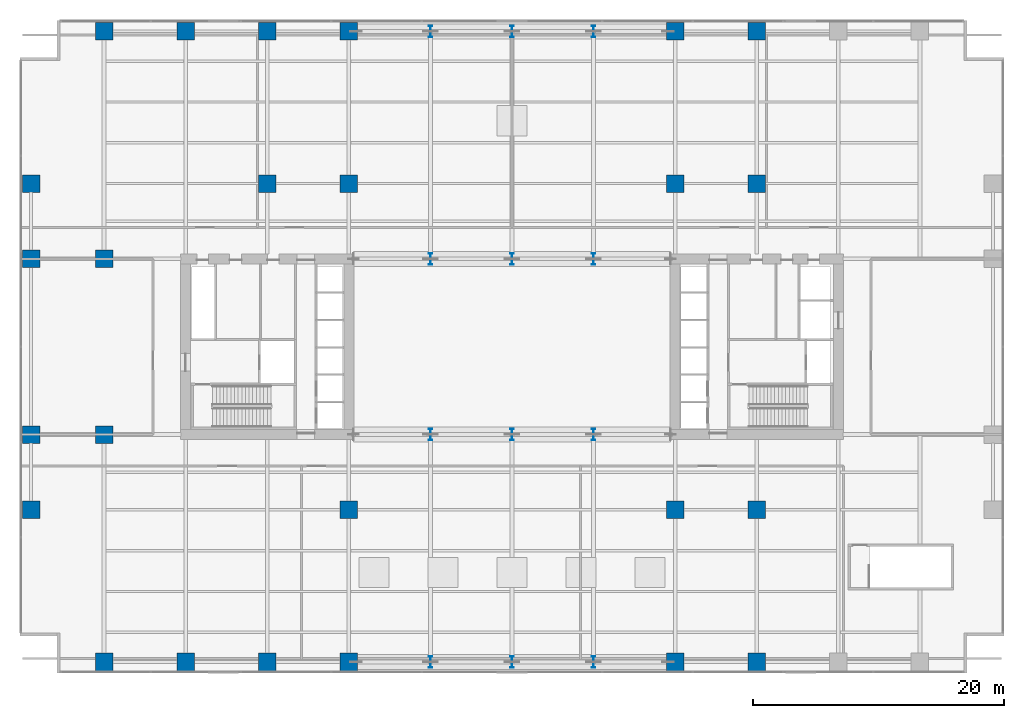
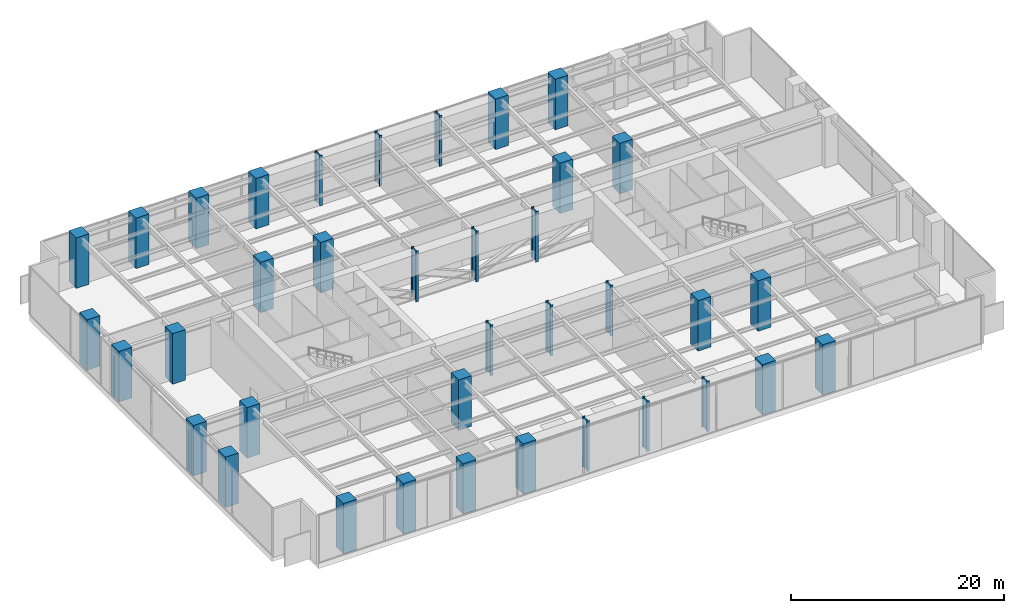
# One storey, part 1 of 25: 37 columns.
"""IFC4 building model written with IfcOpenShell, lengths in metres."""

from ifc_helpers import new_model, si_unit, direction, frame, origin, origin_2d, place, context, subcontext, project, spatial, rectangle, i_section, extrude, material, material_profile, profile_set, type_object, element, save


model = new_model("IFC4")

# Units and contexts
model_context = context("Model", 3, precision=1e-05, world=origin(), true_north=direction((0.0, 1.0)))
body_context = subcontext(model_context, "Body", "Model", "MODEL_VIEW")
ifc_project = project(units=[si_unit("LENGTHUNIT", "METRE"), si_unit("AREAUNIT", "SQUARE_METRE"), si_unit("VOLUMEUNIT", "CUBIC_METRE"), si_unit("PLANEANGLEUNIT", "RADIAN"), si_unit("MASSUNIT", "GRAM", prefix="KILO")], contexts=[model_context])

# Site, building, storey
site_placement = place(None, origin())
site = spatial("IfcSite", under=ifc_project, at=site_placement, CompositionType="ELEMENT")
building_placement = place(site_placement, origin())
building = spatial("IfcBuilding", under=site, at=building_placement, Name="Putna Gate Headquarters", CompositionType="ELEMENT")
storey_placement = place(building_placement, frame((0.0, 0.0, 22.0)))
storey = spatial("IfcBuildingStorey", under=building, at=storey_placement, Name="L04", CompositionType="ELEMENT", Elevation=22.0)

# Columns
ifc_material_1 = material(Name="Concrete C60/75", Category="concrete")
ifc_material_profile_1 = material_profile(ifc_material_1, rectangle(XDim=1.39990234375, YDim=1.39990234375, at=origin_2d()), Name="Concrete C60/75")
ifc_profile_set_1 = profile_set([ifc_material_profile_1], Name="Concrete C60/75")
column_type_1 = type_object("IfcColumnType", Name="COL-RC1400-EXT", PredefinedType="COLUMN", material=ifc_profile_set_1)
for number, where, z_axis, x_axis, name in (
    (1, (6.5, 0.8798828125, 0.0), (0.0, 0.0, 1.0), (1.0, 0.0, 0.0), "L04 Column CP-S6"),
    (2, (6.5, 51.1201171875, 0.0), (0.0, 0.0, 1.0), (1.0, 0.0, 0.0), "L04 Column CP-N6"),
    (3, (13.0, 0.8798828125, 0.0), (0.0, 0.0, 1.0), (1.0, 0.0, 0.0), "L04 Column CP-S13"),
    (4, (13.0, 51.1201171875, 0.0), (0.0, 0.0, 1.0), (1.0, 0.0, 0.0), "L04 Column CP-N13"),
    (5, (19.5, 0.8798828125, 0.0), (0.0, 0.0, 1.0), (1.0, 0.0, 0.0), "L04 Column CP-S19"),
    (6, (19.5, 51.1201171875, 0.0), (0.0, 0.0, 1.0), (1.0, 0.0, 0.0), "L04 Column CP-N19"),
    (7, (26.0, 0.8798828125, 0.0), (0.0, 0.0, 1.0), (1.0, 0.0, 0.0), "L04 Column CP-S26"),
    (8, (26.0, 51.1201171875, 0.0), (0.0, 0.0, 1.0), (1.0, 0.0, 0.0), "L04 Column CP-N26"),
    (9, (52.0, 0.8798828125, 0.0), (0.0, 0.0, 1.0), (1.0, 0.0, 0.0), "L04 Column CP-S52"),
    (10, (52.0, 51.1201171875, 0.0), (0.0, 0.0, 1.0), (1.0, 0.0, 0.0), "L04 Column CP-N52"),
    (11, (58.5, 0.8798828125, 0.0), (0.0, 0.0, 1.0), (1.0, 0.0, 0.0), "L04 Column CP-S58"),
    (12, (58.5, 51.1201171875, 0.0), (0.0, 0.0, 1.0), (1.0, 0.0, 0.0), "L04 Column CP-N58"),
    (13, (0.679931640625, 13.0, 0.0), (0.0, 0.0, 1.0), (1.0, 0.0, 0.0), "L04 Column CP-W13"),
    (14, (0.679931640625, 19.0, 0.0), (0.0, 0.0, 1.0), (1.0, 0.0, 0.0), "L04 Column CP-W19"),
    (15, (0.679931640625, 33.0, 0.0), (0.0, 0.0, 1.0), (1.0, 0.0, 0.0), "L04 Column CP-W33"),
    (16, (0.679931640625, 39.0, 0.0), (0.0, 0.0, 1.0), (1.0, 0.0, 0.0), "L04 Column CP-W39"),
):
    element("IfcColumn", number, at=place(storey_placement, frame(where, z_axis=z_axis, x_axis=x_axis)), inside=storey, type_object=column_type_1, Name=name, PredefinedType="COLUMN", context=body_context, shape_type="SweptSolid", body=[
        extrude(rectangle(XDim=1.39990234375, YDim=1.39990234375, at=origin_2d()), origin(), (0.0, 0.0, 1.0), 5.800048828125),
    ])
ifc_material_profile_2 = material_profile(ifc_material_1, rectangle(XDim=1.39990234375, YDim=1.39990234375, at=origin_2d()), Name="Concrete C60/75")
ifc_profile_set_2 = profile_set([ifc_material_profile_2], Name="Concrete C60/75")
column_type_2 = type_object("IfcColumnType", Name="COL-RC1400-INT", PredefinedType="COLUMN", material=ifc_profile_set_2)
for number, where, z_axis, x_axis, name in (
    (17, (19.5, 39.0, 0.0), (0.0, 0.0, 1.0), (1.0, 0.0, 0.0), "L04 Column CSI-WN"),
    (18, (58.5, 13.0, 0.0), (0.0, 0.0, 1.0), (1.0, 0.0, 0.0), "L04 Column CSI-ES"),
    (19, (58.5, 39.0, 0.0), (0.0, 0.0, 1.0), (1.0, 0.0, 0.0), "L04 Column CSI-EN"),
    (20, (6.5, 19.0, 0.0), (0.0, 0.0, 1.0), (1.0, 0.0, 0.0), "L04 Column CSI-WM"),
    (21, (6.5, 33.0, 0.0), (0.0, 0.0, 1.0), (1.0, 0.0, 0.0), "L04 Column CSI-WNW"),
    (22, (26.0, 13.0, 0.0), (0.0, 0.0, 1.0), (1.0, 0.0, 0.0), "L04 Column CAP-WS"),
    (23, (26.0, 39.0, 0.0), (0.0, 0.0, 1.0), (1.0, 0.0, 0.0), "L04 Column CAP-WN"),
    (24, (52.0, 13.0, 0.0), (0.0, 0.0, 1.0), (1.0, 0.0, 0.0), "L04 Column CAP-ES"),
    (25, (52.0, 39.0, 0.0), (0.0, 0.0, 1.0), (1.0, 0.0, 0.0), "L04 Column CAP-EN"),
):
    element("IfcColumn", number, at=place(storey_placement, frame(where, z_axis=z_axis, x_axis=x_axis)), inside=storey, type_object=column_type_2, Name=name, PredefinedType="COLUMN", context=body_context, shape_type="SweptSolid", body=[
        extrude(rectangle(XDim=1.39990234375, YDim=1.39990234375, at=origin_2d()), origin(), (0.0, 0.0, 1.0), 5.800048828125),
    ])
ifc_material_2 = material(Name="Steel S460M", Category="steel")
ifc_material_profile_3 = material_profile(ifc_material_2, i_section(OverallWidth=0.302001953125, OverallDepth=0.909912109375, WebThickness=0.02099609375, FlangeThickness=0.0400390625, at=origin_2d()), Name="Steel S460M")
ifc_profile_set_3 = profile_set([ifc_material_profile_3], Name="Steel S460M")
column_type_3 = type_object("IfcColumnType", Name="COL-TRUSS-POST-EXT-HEM900", PredefinedType="COLUMN", material=ifc_profile_set_3)
for number, where, z_axis, x_axis, name in (
    (26, (32.5, 0.8798828125, 0.0), (0.0, 0.0, 1.0), (1.0, 0.0, 0.0), "L04 Transfer Truss S Vertical Post X32"),
    (27, (39.0, 0.8798828125, 0.0), (0.0, 0.0, 1.0), (1.0, 0.0, 0.0), "L04 Transfer Truss S Vertical Post X39"),
    (28, (45.5, 0.8798828125, 0.0), (0.0, 0.0, 1.0), (1.0, 0.0, 0.0), "L04 Transfer Truss S Vertical Post X45"),
    (29, (32.5, 51.1201171875, 0.0), (0.0, 0.0, 1.0), (1.0, 0.0, 0.0), "L04 Transfer Truss N Vertical Post X32"),
    (30, (39.0, 51.1201171875, 0.0), (0.0, 0.0, 1.0), (1.0, 0.0, 0.0), "L04 Transfer Truss N Vertical Post X39"),
    (31, (45.5, 51.1201171875, 0.0), (0.0, 0.0, 1.0), (1.0, 0.0, 0.0), "L04 Transfer Truss N Vertical Post X45"),
):
    element("IfcColumn", number, at=place(storey_placement, frame(where, z_axis=z_axis, x_axis=x_axis)), inside=storey, type_object=column_type_3, Name=name, PredefinedType="COLUMN", context=body_context, shape_type="SweptSolid", body=[
        extrude(i_section(OverallWidth=0.302001953125, OverallDepth=0.909912109375, WebThickness=0.02099609375, FlangeThickness=0.0400390625, at=origin_2d()), origin(), (0.0, 0.0, 1.0), 5.800048828125),
    ])
ifc_material_profile_4 = material_profile(ifc_material_2, i_section(OverallWidth=0.302001953125, OverallDepth=0.909912109375, WebThickness=0.02099609375, FlangeThickness=0.0400390625, at=origin_2d()), Name="Steel S460M")
ifc_profile_set_4 = profile_set([ifc_material_profile_4], Name="Steel S460M")
column_type_4 = type_object("IfcColumnType", Name="COL-TRUSS-POST-HEM900", PredefinedType="COLUMN", material=ifc_profile_set_4)
for number, where, z_axis, x_axis, name in (
    (32, (32.5, 19.0, 0.0), (0.0, 0.0, 1.0), (1.0, 0.0, 0.0), "L04 Transfer Truss AS Vertical Post X32"),
    (33, (39.0, 19.0, 0.0), (0.0, 0.0, 1.0), (1.0, 0.0, 0.0), "L04 Transfer Truss AS Vertical Post X39"),
    (34, (45.5, 19.0, 0.0), (0.0, 0.0, 1.0), (1.0, 0.0, 0.0), "L04 Transfer Truss AS Vertical Post X45"),
    (35, (32.5, 33.0, 0.0), (0.0, 0.0, 1.0), (1.0, 0.0, 0.0), "L04 Transfer Truss AN Vertical Post X32"),
    (36, (39.0, 33.0, 0.0), (0.0, 0.0, 1.0), (1.0, 0.0, 0.0), "L04 Transfer Truss AN Vertical Post X39"),
    (37, (45.5, 33.0, 0.0), (0.0, 0.0, 1.0), (1.0, 0.0, 0.0), "L04 Transfer Truss AN Vertical Post X45"),
):
    element("IfcColumn", number, at=place(storey_placement, frame(where, z_axis=z_axis, x_axis=x_axis)), inside=storey, type_object=column_type_4, Name=name, PredefinedType="COLUMN", context=body_context, shape_type="SweptSolid", body=[
        extrude(i_section(OverallWidth=0.302001953125, OverallDepth=0.909912109375, WebThickness=0.02099609375, FlangeThickness=0.0400390625, at=origin_2d()), origin(), (0.0, 0.0, 1.0), 5.800048828125),
    ])

save(model, "model.ifc")
